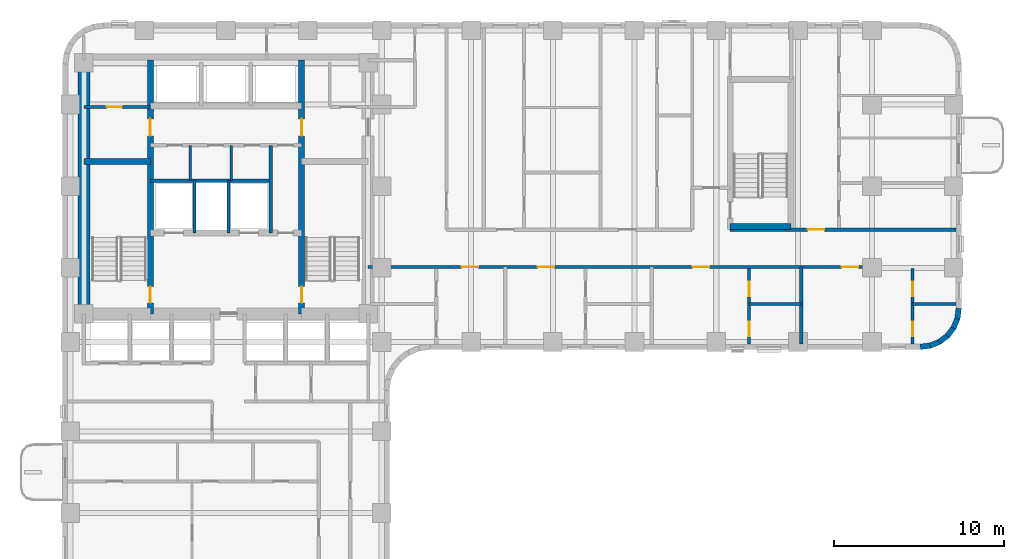
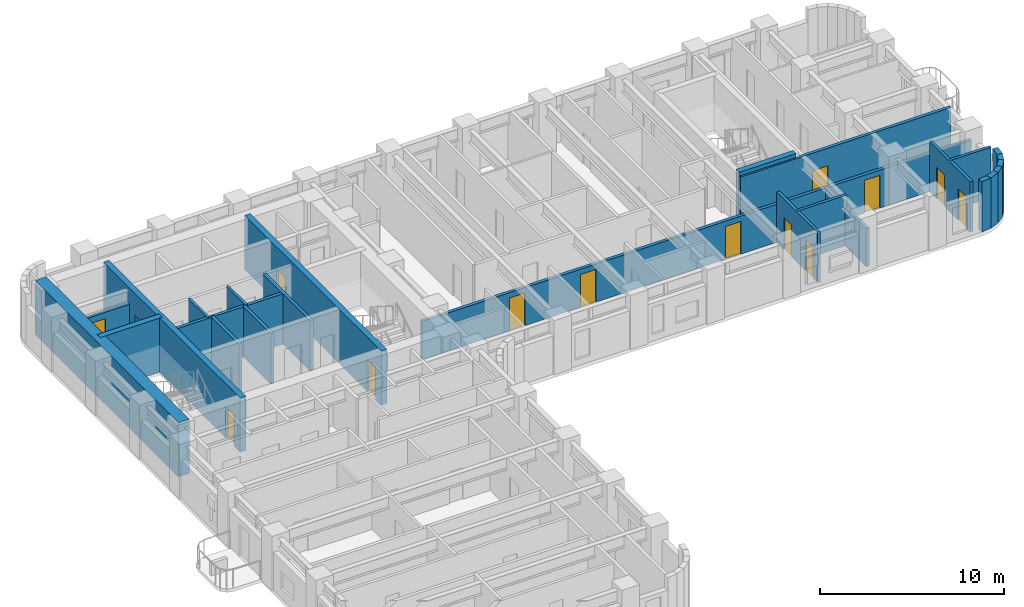
# One storey, part 5 of 11: 25 walls, 14 doors, 14 openings.
"""IFC4 building model written with IfcOpenShell, lengths in metres."""

from ifc_helpers import new_model, si_unit, direction, frame, frame_2d, origin, place, context, subcontext, project, spatial, rectangle, extrude, material, layer, layer_set, type_object, element, fill, save


model = new_model("IFC4")

# Units and contexts
model_context = context("Model", 3, precision=1e-05, world=origin(), true_north=direction((0.0, 1.0)))
body_context = subcontext(model_context, "Body", "Model", "MODEL_VIEW")
ifc_project = project(units=[si_unit("LENGTHUNIT", "METRE"), si_unit("AREAUNIT", "SQUARE_METRE"), si_unit("VOLUMEUNIT", "CUBIC_METRE"), si_unit("PLANEANGLEUNIT", "RADIAN"), si_unit("MASSUNIT", "GRAM", prefix="KILO")], contexts=[model_context])

# Site, building, storey
site_placement = place(None, origin())
site = spatial("IfcSite", under=ifc_project, at=site_placement, CompositionType="ELEMENT")
building_placement = place(site_placement, origin())
building = spatial("IfcBuilding", under=site, at=building_placement, Name="Orvandelia Arch Residences", CompositionType="ELEMENT")
storey_placement = place(building_placement, frame((0.0, 0.0, 82.60009765625)))
storey = spatial("IfcBuildingStorey", under=building, at=storey_placement, Name="L21", CompositionType="ELEMENT", Elevation=82.60009765625)

# Wall, openings, doors
ifc_material_1 = material(Name="Concrete C50/60", Category="concrete")
ifc_layer_1 = layer(ifc_material_1, 0.35009765625, Name="Concrete C50/60", Category="concrete")
ifc_layer_set_1 = layer_set([ifc_layer_1], Name="Concrete C50/60")
wall_type_1 = type_object("IfcWallType", Name="WL-CORE-350", PredefinedType="SHEAR", material=ifc_layer_set_1)
wall_1_placement = place(storey_placement, frame((9.9599609375, 30.89990234375, 0.0), z_axis=(0.0, 0.0, 1.0), x_axis=(0.0, 1.0, 0.0)))
wall_1 = element("IfcWall", 1, at=wall_1_placement, inside=storey, type_object=wall_type_1, Name="Core Shear Wall L21-WEB1", PredefinedType="SHEAR", context=body_context, shape_type="SweptSolid", body=[
    extrude(rectangle(XDim=14.900146484375, YDim=0.35009765625, at=frame_2d((7.4501953125, 0.0))), origin(), (0.0, 0.0, 1.0), 3.599853515625),
])
opening_1_placement = place(wall_1_placement, frame((0.64990234375, 0.0, 0.0)))
opening_1 = element("IfcOpeningElement", 2, at=opening_1_placement, cuts=wall_1, Name="Opening D7", PredefinedType="OPENING", context=body_context, shape_type="SweptSolid", body=[
    extrude(rectangle(XDim=0.949951171875, YDim=2.10009765625, at=frame_2d((0.47509765625, 1.050048828125))), frame((0.0, 0.18505859375, 0.0), z_axis=(0.0, -1.0, 0.0), x_axis=(1.0, 0.0, 0.0)), (0.0, 0.0, 1.0), 0.3701171875),
])
opening_2_placement = place(wall_1_placement, frame((10.449951171875, 0.0, 0.0)))
opening_2 = element("IfcOpeningElement", 3, at=opening_2_placement, cuts=wall_1, Name="Opening D6", PredefinedType="OPENING", context=body_context, shape_type="SweptSolid", body=[
    extrude(rectangle(XDim=1.0, YDim=2.14990234375, at=frame_2d((0.5, 1.074951171875))), frame((0.0, 0.18505859375, 0.0), z_axis=(0.0, -1.0, 0.0), x_axis=(1.0, 0.0, 0.0)), (0.0, 0.0, 1.0), 0.3701171875),
])
ifc_material_2 = material(Name="Smokeproof Painted Steel Fire Door", Category="steel")
door_type_1 = type_object("IfcDoorType", Name="DR-FD60-1000", OperationType="NOTDEFINED", PredefinedType="DOOR", material=ifc_material_2)
door_1_placement = place(opening_2_placement, origin())
door_1 = element("IfcDoor", 4, at=door_1_placement, inside=storey, type_object=door_type_1, Name="High-Rise Lift Hall West Vestibule Door L21", OperationType="SINGLE_SWING_LEFT", OverallHeight=2.14990234375, OverallWidth=1.0, PredefinedType="DOOR", context=body_context, shape_type="SweptSolid", body=[
    extrude(rectangle(XDim=1.0, YDim=2.14990234375, at=frame_2d((0.5, 1.074951171875))), frame((0.0, 0.02490234375, 0.0), z_axis=(0.0, -1.0, 0.0), x_axis=(1.0, 0.0, 0.0)), (0.0, 0.0, 1.0), 0.050048828125),
])
fill(opening_2, door_1)
ifc_material_3 = material(Name="Pressurised Stairwell Fire Door")
door_type_2 = type_object("IfcDoorType", Name="DR-STAIR-950", OperationType="NOTDEFINED", PredefinedType="DOOR", material=ifc_material_3)
door_2_placement = place(opening_1_placement, origin())
door_2 = element("IfcDoor", 5, at=door_2_placement, inside=storey, type_object=door_type_2, Name="Stairwell ST-1 Fire Door L21", OperationType="SINGLE_SWING_LEFT", OverallHeight=2.10009765625, OverallWidth=0.949951171875, PredefinedType="DOOR", context=body_context, shape_type="SweptSolid", body=[
    extrude(rectangle(XDim=0.949951171875, YDim=2.10009765625, at=frame_2d((0.47509765625, 1.050048828125))), frame((0.0, 0.02490234375, 0.0), z_axis=(0.0, -1.0, 0.0), x_axis=(1.0, 0.0, 0.0)), (0.0, 0.0, 1.0), 0.050048828125),
])
fill(opening_1, door_2)

wall_2_placement = place(storey_placement, frame((18.840087890625, 30.89990234375, 0.0), z_axis=(0.0, 0.0, 1.0), x_axis=(0.0, 1.0, 0.0)))
wall_2 = element("IfcWall", 6, at=wall_2_placement, inside=storey, type_object=wall_type_1, Name="Core Shear Wall L21-WEB2", PredefinedType="SHEAR", context=body_context, shape_type="SweptSolid", body=[
    extrude(rectangle(XDim=14.900146484375, YDim=0.35009765625, at=frame_2d((7.4501953125, 0.0))), origin(), (0.0, 0.0, 1.0), 3.599853515625),
])
opening_3_placement = place(wall_2_placement, frame((0.64990234375, 0.0, 0.0)))
opening_3 = element("IfcOpeningElement", 7, at=opening_3_placement, cuts=wall_2, Name="Opening D7", PredefinedType="OPENING", context=body_context, shape_type="SweptSolid", body=[
    extrude(rectangle(XDim=0.949951171875, YDim=2.10009765625, at=frame_2d((0.47509765625, 1.050048828125))), frame((0.0, 0.18505859375, 0.0), z_axis=(0.0, -1.0, 0.0), x_axis=(1.0, 0.0, 0.0)), (0.0, 0.0, 1.0), 0.3701171875),
])
opening_4_placement = place(wall_2_placement, frame((10.449951171875, 0.0, 0.0)))
opening_4 = element("IfcOpeningElement", 8, at=opening_4_placement, cuts=wall_2, Name="Opening D6", PredefinedType="OPENING", context=body_context, shape_type="SweptSolid", body=[
    extrude(rectangle(XDim=1.0, YDim=2.14990234375, at=frame_2d((0.5, 1.074951171875))), frame((0.0, 0.18505859375, 0.0), z_axis=(0.0, -1.0, 0.0), x_axis=(1.0, 0.0, 0.0)), (0.0, 0.0, 1.0), 0.3701171875),
])
door_3_placement = place(opening_4_placement, origin())
door_3 = element("IfcDoor", 9, at=door_3_placement, inside=storey, type_object=door_type_1, Name="High-Rise Lift Hall East Vestibule Door L21", OperationType="SINGLE_SWING_RIGHT", OverallHeight=2.14990234375, OverallWidth=1.0, PredefinedType="DOOR", context=body_context, shape_type="SweptSolid", body=[
    extrude(rectangle(XDim=1.0, YDim=2.14990234375, at=frame_2d((0.5, 1.074951171875))), frame((0.0, 0.02490234375, 0.0), z_axis=(0.0, -1.0, 0.0), x_axis=(1.0, 0.0, 0.0)), (0.0, 0.0, 1.0), 0.050048828125),
])
fill(opening_4, door_3)
door_4_placement = place(opening_3_placement, origin())
door_4 = element("IfcDoor", 10, at=door_4_placement, inside=storey, type_object=door_type_2, Name="Stairwell ST-2 Fire Door L21", OperationType="SINGLE_SWING_RIGHT", OverallHeight=2.10009765625, OverallWidth=0.949951171875, PredefinedType="DOOR", context=body_context, shape_type="SweptSolid", body=[
    extrude(rectangle(XDim=0.949951171875, YDim=2.10009765625, at=frame_2d((0.47509765625, 1.050048828125))), frame((0.0, 0.02490234375, 0.0), z_axis=(0.0, -1.0, 0.0), x_axis=(1.0, 0.0, 0.0)), (0.0, 0.0, 1.0), 0.050048828125),
])
fill(opening_3, door_4)

# Walls
wall_3_placement = place(storey_placement, frame((6.050048828125, 39.85009765625, 0.0), z_axis=(0.0, 0.0, 1.0), x_axis=(1.0, 0.0, 0.0)))
element("IfcWall", 11, at=wall_3_placement, inside=storey, type_object=wall_type_1, Name="Core Shear Wall L21-HZ1", PredefinedType="SHEAR", context=body_context, shape_type="SweptSolid", body=[
    extrude(rectangle(XDim=3.909912109375, YDim=0.35009765625, at=frame_2d((1.955078125, 0.0))), origin(), (0.0, 0.0, 1.0), 3.599853515625),
])
wall_4_placement = place(storey_placement, frame((44.02001953125, 36.0400390625, 0.0), z_axis=(0.0, 0.0, 1.0), x_axis=(1.0, 0.0, 0.0)))
element("IfcWall", 12, at=wall_4_placement, inside=storey, type_object=wall_type_1, Name="East Stair Core Shear Wall L21-S", PredefinedType="SHEAR", context=body_context, shape_type="SweptSolid", body=[
    extrude(rectangle(XDim=3.580078125, YDim=0.35009765625, at=frame_2d((1.7900390625, 0.0))), origin(), (0.0, 0.0, 1.0), 3.599853515625),
])
ifc_material_4 = material(Name="Concrete C80/95", Category="concrete")
ifc_layer_2 = layer(ifc_material_4, 0.699951171875, Name="Concrete C80/95", Category="concrete")
ifc_layer_set_2 = layer_set([ifc_layer_2], Name="Concrete C80/95")
wall_type_2 = type_object("IfcWallType", Name="WL-CORE-700", PredefinedType="SHEAR", material=ifc_layer_set_2)
wall_5_placement = place(storey_placement, frame((6.050048828125, 30.550048828125, 0.0), z_axis=(0.0, 0.0, 1.0), x_axis=(0.0, 1.0, 0.0)))
element("IfcWall", 13, at=wall_5_placement, inside=storey, type_object=wall_type_2, Name="Core Shear Wall L21-W", PredefinedType="SHEAR", context=body_context, shape_type="SweptSolid", body=[
    extrude(rectangle(XDim=15.599853515625, YDim=0.699951171875, at=frame_2d((7.7998046875, 0.0))), origin(), (0.0, 0.0, 1.0), 3.599853515625),
])

# Wall, openings, doors
ifc_material_5 = material(Name="Fire-Rated Corridor Partition")
ifc_layer_3 = layer(ifc_material_5, 0.199951171875, Name="Fire-Rated Corridor Partition")
ifc_layer_set_3 = layer_set([ifc_layer_3], Name="Fire-Rated Corridor Partition")
wall_type_3 = type_object("IfcWallType", Name="WL-CORR-200", PredefinedType="PARTITIONING", material=ifc_layer_set_3)
wall_6_placement = place(storey_placement, frame((22.75, 33.64990234375, 0.0), z_axis=(0.0, 0.0, 1.0), x_axis=(1.0, 0.0, 0.0)))
wall_6 = element("IfcWall", 14, at=wall_6_placement, inside=storey, type_object=wall_type_3, Name="Interior Partition Wall WL-L21-ES-S", PredefinedType="PARTITIONING", context=body_context, shape_type="SweptSolid", body=[
    extrude(rectangle(XDim=34.530029296875, YDim=0.199951171875, at=frame_2d((17.26513671875, 0.0))), origin(), (0.0, 0.0, 1.0), 2.52978515625),
])
opening_5_placement = place(wall_6_placement, frame((5.4951171875, 0.0, 0.0)))
opening_5 = element("IfcOpeningElement", 15, at=opening_5_placement, cuts=wall_6, Name="Opening D1", PredefinedType="OPENING", context=body_context, shape_type="SweptSolid", body=[
    extrude(rectangle(XDim=0.97998046875, YDim=2.179931640625, at=frame_2d((0.489990234375, 1.08984375))), frame((0.0, 0.10986328125, 0.0), z_axis=(0.0, -1.0, 0.0), x_axis=(1.0, 0.0, 0.0)), (0.0, 0.0, 1.0), 0.219970703125),
])
opening_6_placement = place(wall_6_placement, frame((9.9609375, 0.0, 0.0)))
opening_6 = element("IfcOpeningElement", 16, at=opening_6_placement, cuts=wall_6, Name="Opening D1", PredefinedType="OPENING", context=body_context, shape_type="SweptSolid", body=[
    extrude(rectangle(XDim=0.97998046875, YDim=2.179931640625, at=frame_2d((0.489990234375, 1.08984375))), frame((0.0, 0.10986328125, 0.0), z_axis=(0.0, -1.0, 0.0), x_axis=(1.0, 0.0, 0.0)), (0.0, 0.0, 1.0), 0.219970703125),
])
opening_7_placement = place(wall_6_placement, frame((19.06591796875, 0.0, 0.0)))
opening_7 = element("IfcOpeningElement", 17, at=opening_7_placement, cuts=wall_6, Name="Opening D1", PredefinedType="OPENING", context=body_context, shape_type="SweptSolid", body=[
    extrude(rectangle(XDim=0.97998046875, YDim=2.179931640625, at=frame_2d((0.489990234375, 1.08984375))), frame((0.0, 0.10986328125, 0.0), z_axis=(0.0, -1.0, 0.0), x_axis=(1.0, 0.0, 0.0)), (0.0, 0.0, 1.0), 0.219970703125),
])
opening_8_placement = place(wall_6_placement, frame((27.81494140625, 0.0, 0.0)))
opening_8 = element("IfcOpeningElement", 18, at=opening_8_placement, cuts=wall_6, Name="Opening D1", PredefinedType="OPENING", context=body_context, shape_type="SweptSolid", body=[
    extrude(rectangle(XDim=0.97998046875, YDim=2.179931640625, at=frame_2d((0.489990234375, 1.08984375))), frame((0.0, 0.10986328125, 0.0), z_axis=(0.0, -1.0, 0.0), x_axis=(1.0, 0.0, 0.0)), (0.0, 0.0, 1.0), 0.219970703125),
])
ifc_material_6 = material(Name="Solid-Core Timber Acoustic Fire Door", Category="wood")
door_type_3 = type_object("IfcDoorType", Name="DR-ENT-980", OperationType="NOTDEFINED", PredefinedType="DOOR", material=ifc_material_6)
door_5_placement = place(opening_5_placement, origin())
door_5 = element("IfcDoor", 19, at=door_5_placement, inside=storey, type_object=door_type_3, Name="Unit L21-04 Entrance Door", OperationType="SINGLE_SWING_RIGHT", OverallHeight=2.179931640625, OverallWidth=0.97998046875, PredefinedType="DOOR", context=body_context, shape_type="SweptSolid", body=[
    extrude(rectangle(XDim=0.97998046875, YDim=2.179931640625, at=frame_2d((0.489990234375, 1.08984375))), frame((0.0, 0.02490234375, 0.0), z_axis=(0.0, -1.0, 0.0), x_axis=(1.0, 0.0, 0.0)), (0.0, 0.0, 1.0), 0.050048828125),
])
fill(opening_5, door_5)
door_6_placement = place(opening_6_placement, origin())
door_6 = element("IfcDoor", 20, at=door_6_placement, inside=storey, type_object=door_type_3, Name="Unit L21-05 Entrance Door", OperationType="SINGLE_SWING_LEFT", OverallHeight=2.179931640625, OverallWidth=0.97998046875, PredefinedType="DOOR", context=body_context, shape_type="SweptSolid", body=[
    extrude(rectangle(XDim=0.97998046875, YDim=2.179931640625, at=frame_2d((0.489990234375, 1.08984375))), frame((0.0, 0.02490234375, 0.0), z_axis=(0.0, -1.0, 0.0), x_axis=(1.0, 0.0, 0.0)), (0.0, 0.0, 1.0), 0.050048828125),
])
fill(opening_6, door_6)
door_7_placement = place(opening_7_placement, origin())
door_7 = element("IfcDoor", 21, at=door_7_placement, inside=storey, type_object=door_type_3, Name="Unit L21-06 Entrance Door", OperationType="SINGLE_SWING_RIGHT", OverallHeight=2.179931640625, OverallWidth=0.97998046875, PredefinedType="DOOR", context=body_context, shape_type="SweptSolid", body=[
    extrude(rectangle(XDim=0.97998046875, YDim=2.179931640625, at=frame_2d((0.489990234375, 1.08984375))), frame((0.0, 0.02490234375, 0.0), z_axis=(0.0, -1.0, 0.0), x_axis=(1.0, 0.0, 0.0)), (0.0, 0.0, 1.0), 0.050048828125),
])
fill(opening_7, door_7)
door_8_placement = place(opening_8_placement, origin())
door_8 = element("IfcDoor", 22, at=door_8_placement, inside=storey, type_object=door_type_3, Name="Unit L21-07 Entrance Door", OperationType="SINGLE_SWING_LEFT", OverallHeight=2.179931640625, OverallWidth=0.97998046875, PredefinedType="DOOR", context=body_context, shape_type="SweptSolid", body=[
    extrude(rectangle(XDim=0.97998046875, YDim=2.179931640625, at=frame_2d((0.489990234375, 1.08984375))), frame((0.0, 0.02490234375, 0.0), z_axis=(0.0, -1.0, 0.0), x_axis=(1.0, 0.0, 0.0)), (0.0, 0.0, 1.0), 0.050048828125),
])
fill(opening_8, door_8)

# Wall, opening, door
wall_7_placement = place(storey_placement, frame((44.02001953125, 35.85009765625, 0.0), z_axis=(0.0, 0.0, 1.0), x_axis=(1.0, 0.0, 0.0)))
wall_7 = element("IfcWall", 23, at=wall_7_placement, inside=storey, type_object=wall_type_3, Name="Interior Partition Wall WL-L21-ES-N2", PredefinedType="PARTITIONING", context=body_context, shape_type="SweptSolid", body=[
    extrude(rectangle(XDim=13.260009765625, YDim=0.199951171875, at=frame_2d((6.6298828125, 0.0))), origin(), (0.0, 0.0, 1.0), 3.349853515625),
])
opening_9_placement = place(wall_7_placement, frame((4.548583984375, 0.0, 0.0)))
opening_9 = element("IfcOpeningElement", 24, at=opening_9_placement, cuts=wall_7, Name="Opening D1", PredefinedType="OPENING", context=body_context, shape_type="SweptSolid", body=[
    extrude(rectangle(XDim=0.97998046875, YDim=2.179931640625, at=frame_2d((0.489990234375, 1.08984375))), frame((0.0, 0.10986328125, 0.0), z_axis=(0.0, -1.0, 0.0), x_axis=(1.0, 0.0, 0.0)), (0.0, 0.0, 1.0), 0.219970703125),
])
door_9_placement = place(opening_9_placement, origin())
door_9 = element("IfcDoor", 25, at=door_9_placement, inside=storey, type_object=door_type_3, Name="Unit L21-10 Entrance Door", OperationType="SINGLE_SWING_RIGHT", OverallHeight=2.179931640625, OverallWidth=0.97998046875, PredefinedType="DOOR", context=body_context, shape_type="SweptSolid", body=[
    extrude(rectangle(XDim=0.97998046875, YDim=2.179931640625, at=frame_2d((0.489990234375, 1.08984375))), frame((0.0, 0.02490234375, 0.0), z_axis=(0.0, -1.0, 0.0), x_axis=(1.0, 0.0, 0.0)), (0.0, 0.0, 1.0), 0.050048828125),
])
fill(opening_9, door_9)

# Walls
ifc_material_7 = material(Name="Concrete C40/50", Category="concrete")
ifc_layer_4 = layer(ifc_material_7, 0.199951171875, Name="Concrete C40/50", Category="concrete")
ifc_layer_set_4 = layer_set([ifc_layer_4], Name="Concrete C40/50")
wall_type_4 = type_object("IfcWallType", Name="WL-DEM-200", PredefinedType="SOLIDWALL", material=ifc_layer_set_4)
wall_8_placement = place(storey_placement, frame((48.199951171875, 29.1201171875, 0.0), z_axis=(0.0, 0.0, 1.0), x_axis=(0.0, 1.0, 0.0)))
element("IfcWall", 26, at=wall_8_placement, inside=storey, type_object=wall_type_4, Name="Interior Partition Wall WL-L21-DEM-ESS-482", PredefinedType="SOLIDWALL", context=body_context, shape_type="SweptSolid", body=[
    extrude(rectangle(XDim=4.52978515625, YDim=0.199951171875, at=frame_2d((2.264892578125, 0.0))), origin(), (0.0, 0.0, 1.0), 2.52978515625),
])
ifc_material_8 = material(Name="Precast concrete C40/50", Category="concrete")
ifc_layer_5 = layer(ifc_material_8, 0.320068359375, Name="Precast concrete C40/50", Category="concrete")
ifc_layer_set_5 = layer_set([ifc_layer_5], Name="Precast concrete C40/50")
wall_type_5 = type_object("IfcWallType", Name="WL-EXT-STONE-320", PredefinedType="STANDARD", material=ifc_layer_set_5)
wall_9_placement = place(storey_placement, frame((57.44140625, 31.220947265625, 0.0), z_axis=(0.0, 0.0, 1.0), x_axis=(-0.130504898859, -0.991447664465, 0.0)))
element("IfcWall", 27, at=wall_9_placement, inside=storey, type_object=wall_type_5, Name="Coral-Limestone Precast Facade Wall L21-015", PredefinedType="STANDARD", context=body_context, shape_type="SweptSolid", body=[
    extrude(rectangle(XDim=0.626708984375, YDim=0.320068359375, at=frame_2d((0.3134765625, 0.0))), origin(), (0.0, 0.0, 1.0), 3.349853515625),
])
wall_10_placement = place(storey_placement, frame((57.370361328125, 30.639892578125, 0.0), z_axis=(0.0, 0.0, 1.0), x_axis=(-0.382787856107, -0.923836271867, 0.0)))
element("IfcWall", 28, at=wall_10_placement, inside=storey, type_object=wall_type_5, Name="Coral-Limestone Precast Facade Wall L21-016", PredefinedType="STANDARD", context=body_context, shape_type="SweptSolid", body=[
    extrude(rectangle(XDim=0.626220703125, YDim=0.320068359375, at=frame_2d((0.31298828125, 0.0))), origin(), (0.0, 0.0, 1.0), 3.349853515625),
])
wall_11_placement = place(storey_placement, frame((57.151611328125, 30.097412109375, 0.0), z_axis=(0.0, 0.0, 1.0), x_axis=(-0.608693302629, -0.793405610854, 0.0)))
element("IfcWall", 29, at=wall_11_placement, inside=storey, type_object=wall_type_5, Name="Coral-Limestone Precast Facade Wall L21-017", PredefinedType="STANDARD", context=body_context, shape_type="SweptSolid", body=[
    extrude(rectangle(XDim=0.62646484375, YDim=0.320068359375, at=frame_2d((0.313232421875, 0.0))), origin(), (0.0, 0.0, 1.0), 3.349853515625),
])
wall_12_placement = place(storey_placement, frame((56.7998046875, 29.6298828125, 0.0), z_axis=(0.0, 0.0, 1.0), x_axis=(-0.793361818833, -0.608750379399, 0.0)))
element("IfcWall", 30, at=wall_12_placement, inside=storey, type_object=wall_type_5, Name="Coral-Limestone Precast Facade Wall L21-018", PredefinedType="STANDARD", context=body_context, shape_type="SweptSolid", body=[
    extrude(rectangle(XDim=0.626953125, YDim=0.320068359375, at=frame_2d((0.3134765625, 0.0))), origin(), (0.0, 0.0, 1.0), 3.349853515625),
])
for number, where, z_axis, x_axis, name in (
    (31, (56.3388671875, 29.269287109375, 0.0), (0.0, 0.0, 1.0), (-0.92389335771, -0.382650053678, 0.0), "Coral-Limestone Precast Facade Wall L21-019"),
    (32, (55.80029296875, 29.040283203125, 0.0), (0.0, 0.0, 1.0), (-0.9914410257, -0.130555323746, 0.0), "Coral-Limestone Precast Facade Wall L21-020"),
):
    element("IfcWall", number, at=place(storey_placement, frame(where, z_axis=z_axis, x_axis=x_axis)), inside=storey, type_object=wall_type_5, Name=name, PredefinedType="STANDARD", context=body_context, shape_type="SweptSolid", body=[
        extrude(rectangle(XDim=0.62646484375, YDim=0.320068359375, at=frame_2d((0.313232421875, 0.0))), origin(), (0.0, 0.0, 1.0), 3.349853515625),
    ])
ifc_material_9 = material(Name="Acoustic Gypsum Stud Partition")
ifc_layer_6 = layer(ifc_material_9, 0.14990234375, Name="Acoustic Gypsum Stud Partition")
ifc_layer_set_6 = layer_set([ifc_layer_6], Name="Acoustic Gypsum Stud Partition")
wall_type_6 = type_object("IfcWallType", Name="WL-PART-150", PredefinedType="PARTITIONING", material=ifc_layer_set_6)
for number, where, z_axis, x_axis, name in (
    (33, (12.300048828125, 38.719970703125, 0.0), (0.0, 0.0, 1.0), (0.0, 1.0, 0.0), "Interior Partition Wall WL-L21-CSA-1"),
    (34, (14.699951171875, 38.719970703125, 0.0), (0.0, 0.0, 1.0), (0.0, 1.0, 0.0), "Interior Partition Wall WL-L21-CSA-2"),
):
    element("IfcWall", number, at=place(storey_placement, frame(where, z_axis=z_axis, x_axis=x_axis)), inside=storey, type_object=wall_type_6, Name=name, PredefinedType="PARTITIONING", context=body_context, shape_type="SweptSolid", body=[
        extrude(rectangle(XDim=2.080078125, YDim=0.14990234375, at=frame_2d((1.0400390625, 0.0))), origin(), (0.0, 0.0, 1.0), 3.349853515625),
    ])
ifc_material_10 = material(Name="Fire-Rated Shaft Enclosure Wall")
ifc_layer_7 = layer(ifc_material_10, 0.199951171875, Name="Fire-Rated Shaft Enclosure Wall")
ifc_layer_set_7 = layer_set([ifc_layer_7], Name="Fire-Rated Shaft Enclosure Wall")
wall_type_7 = type_object("IfcWallType", Name="WL-SHAFT-200", PredefinedType="POLYGONAL", material=ifc_layer_set_7)
wall_13_placement = place(storey_placement, frame((9.9599609375, 38.719970703125, 0.0), z_axis=(0.0, 0.0, 1.0), x_axis=(1.0, 0.0, 0.0)))
element("IfcWall", 35, at=wall_13_placement, inside=storey, type_object=wall_type_7, Name="Interior Partition Wall WL-L21-FLN", PredefinedType="POLYGONAL", context=body_context, shape_type="SweptSolid", body=[
    extrude(rectangle(XDim=7.06005859375, YDim=0.199951171875, at=frame_2d((3.530029296875, 0.0))), origin(), (0.0, 0.0, 1.0), 3.349853515625),
])
for number, where, z_axis, x_axis, name in (
    (36, (12.550048828125, 35.64990234375, 0.0), (0.0, 0.0, 1.0), (0.0, 1.0, 0.0), "Interior Partition Wall WL-L21-FLM1"),
    (37, (14.550048828125, 35.64990234375, 0.0), (0.0, 0.0, 1.0), (0.0, 1.0, 0.0), "Interior Partition Wall WL-L21-FLM2"),
):
    element("IfcWall", number, at=place(storey_placement, frame(where, z_axis=z_axis, x_axis=x_axis)), inside=storey, type_object=wall_type_7, Name=name, PredefinedType="POLYGONAL", context=body_context, shape_type="SweptSolid", body=[
        extrude(rectangle(XDim=3.070068359375, YDim=0.199951171875, at=frame_2d((1.53515625, 0.0))), origin(), (0.0, 0.0, 1.0), 3.349853515625),
    ])
wall_14_placement = place(storey_placement, frame((17.02001953125, 35.64990234375, 0.0), z_axis=(0.0, 0.0, 1.0), x_axis=(0.0, 1.0, 0.0)))
element("IfcWall", 38, at=wall_14_placement, inside=storey, type_object=wall_type_7, Name="Interior Partition Wall WL-L21-FLM3", PredefinedType="POLYGONAL", context=body_context, shape_type="SweptSolid", body=[
    extrude(rectangle(XDim=5.150146484375, YDim=0.199951171875, at=frame_2d((2.5751953125, 0.0))), origin(), (0.0, 0.0, 1.0), 3.349853515625),
])

# Wall, opening, door
wall_15_placement = place(storey_placement, frame((6.050048828125, 43.050048828125, 0.0), z_axis=(0.0, 0.0, 1.0), x_axis=(1.0, 0.0, 0.0)))
wall_15 = element("IfcWall", 39, at=wall_15_placement, inside=storey, type_object=wall_type_7, Name="Interior Partition Wall WL-L21-HLW-N", PredefinedType="POLYGONAL", context=body_context, shape_type="SweptSolid", body=[
    extrude(rectangle(XDim=3.909912109375, YDim=0.199951171875, at=frame_2d((1.955078125, 0.0))), origin(), (0.0, 0.0, 1.0), 2.52978515625),
])
opening_10_placement = place(wall_15_placement, frame((1.35009765625, 0.0, 0.0)))
opening_10 = element("IfcOpeningElement", 40, at=opening_10_placement, cuts=wall_15, Name="Opening D5", PredefinedType="OPENING", context=body_context, shape_type="SweptSolid", body=[
    extrude(rectangle(XDim=0.8798828125, YDim=2.10009765625, at=frame_2d((0.43994140625, 1.050048828125))), frame((0.0, 0.10986328125, 0.0), z_axis=(0.0, -1.0, 0.0), x_axis=(1.0, 0.0, 0.0)), (0.0, 0.0, 1.0), 0.219970703125),
])
ifc_material_11 = material(Name="Painted Galvanised Steel Service Door", Category="steel")
door_type_4 = type_object("IfcDoorType", Name="DR-SRV-880", OperationType="NOTDEFINED", PredefinedType="DOOR", material=ifc_material_11)
door_10_placement = place(opening_10_placement, origin())
door_10 = element("IfcDoor", 41, at=door_10_placement, inside=storey, type_object=door_type_4, Name="Riser Service Door L21", OperationType="SINGLE_SWING_RIGHT", OverallHeight=2.10009765625, OverallWidth=0.8798828125, PredefinedType="DOOR", context=body_context, shape_type="SweptSolid", body=[
    extrude(rectangle(XDim=0.8798828125, YDim=2.10009765625, at=frame_2d((0.43994140625, 1.050048828125))), frame((0.0, 0.02490234375, 0.0), z_axis=(0.0, -1.0, 0.0), x_axis=(1.0, 0.0, 0.0)), (0.0, 0.0, 1.0), 0.050048828125),
])
fill(opening_10, door_10)

# Wall, openings, doors
ifc_material_12 = material(Name="Moisture-Resistant Plumbing Wall")
ifc_layer_8 = layer(ifc_material_12, 0.179931640625, Name="Moisture-Resistant Plumbing Wall")
ifc_layer_set_8 = layer_set([ifc_layer_8], Name="Moisture-Resistant Plumbing Wall")
wall_type_8 = type_object("IfcWallType", Name="WL-WET-180", PredefinedType="PLUMBINGWALL", material=ifc_layer_set_8)
wall_16_placement = place(storey_placement, frame((45.132080078125, 29.1201171875, 0.0), z_axis=(0.0, 0.0, 1.0), x_axis=(0.0, 1.0, 0.0)))
wall_16 = element("IfcWall", 42, at=wall_16_placement, inside=storey, type_object=wall_type_8, Name="Interior Partition Wall WL-L21-U06-VT", PredefinedType="PLUMBINGWALL", context=body_context, shape_type="SweptSolid", body=[
    extrude(rectangle(XDim=4.429931640625, YDim=0.179931640625, at=frame_2d((2.21484375, 0.0))), origin(), (0.0, 0.0, 1.0), 3.349853515625),
])
opening_11_placement = place(wall_16_placement, frame((0.458740234375, 0.0, 0.0)))
opening_11 = element("IfcOpeningElement", 43, at=opening_11_placement, cuts=wall_16, Name="Opening D4", PredefinedType="OPENING", context=body_context, shape_type="SweptSolid", body=[
    extrude(rectangle(XDim=0.860107421875, YDim=2.10009765625, at=frame_2d((0.43017578125, 1.050048828125))), frame((0.0, 0.10009765625, 0.0), z_axis=(0.0, -1.0, 0.0), x_axis=(1.0, 0.0, 0.0)), (0.0, 0.0, 1.0), 0.199951171875),
])
opening_12_placement = place(wall_16_placement, frame((2.79931640625, 0.0, 0.0)))
opening_12 = element("IfcOpeningElement", 44, at=opening_12_placement, cuts=wall_16, Name="Opening D4", PredefinedType="OPENING", context=body_context, shape_type="SweptSolid", body=[
    extrude(rectangle(XDim=0.860107421875, YDim=2.10009765625, at=frame_2d((0.43017578125, 1.050048828125))), frame((0.0, 0.10009765625, 0.0), z_axis=(0.0, -1.0, 0.0), x_axis=(1.0, 0.0, 0.0)), (0.0, 0.0, 1.0), 0.199951171875),
])
ifc_material_13 = material(Name="Moisture-Sealed Timber Bathroom Door", Category="wood")
door_type_5 = type_object("IfcDoorType", Name="DR-WET-900", OperationType="NOTDEFINED", PredefinedType="DOOR", material=ifc_material_13)
door_11_placement = place(opening_11_placement, origin())
door_11 = element("IfcDoor", 45, at=door_11_placement, inside=storey, type_object=door_type_5, Name="DR-L21-U06-KIT", OperationType="SINGLE_SWING_RIGHT", OverallHeight=2.10009765625, OverallWidth=0.860107421875, PredefinedType="DOOR", context=body_context, shape_type="SweptSolid", body=[
    extrude(rectangle(XDim=0.860107421875, YDim=2.10009765625, at=frame_2d((0.43017578125, 1.050048828125))), frame((0.0, 0.02490234375, 0.0), z_axis=(0.0, -1.0, 0.0), x_axis=(1.0, 0.0, 0.0)), (0.0, 0.0, 1.0), 0.050048828125),
])
fill(opening_11, door_11)
door_12_placement = place(opening_12_placement, origin())
door_12 = element("IfcDoor", 46, at=door_12_placement, inside=storey, type_object=door_type_5, Name="DR-L21-U06-BTH", OperationType="SINGLE_SWING_LEFT", OverallHeight=2.10009765625, OverallWidth=0.860107421875, PredefinedType="DOOR", context=body_context, shape_type="SweptSolid", body=[
    extrude(rectangle(XDim=0.860107421875, YDim=2.10009765625, at=frame_2d((0.43017578125, 1.050048828125))), frame((0.0, 0.02490234375, 0.0), z_axis=(0.0, -1.0, 0.0), x_axis=(1.0, 0.0, 0.0)), (0.0, 0.0, 1.0), 0.050048828125),
])
fill(opening_12, door_12)

# Wall
wall_17_placement = place(storey_placement, frame((45.132080078125, 31.485107421875, 0.0), z_axis=(0.0, 0.0, 1.0), x_axis=(1.0, 0.0, 0.0)))
element("IfcWall", 47, at=wall_17_placement, inside=storey, type_object=wall_type_8, Name="Interior Partition Wall WL-L21-U06-H1", PredefinedType="PLUMBINGWALL", context=body_context, shape_type="SweptSolid", body=[
    extrude(rectangle(XDim=3.06787109375, YDim=0.179931640625, at=frame_2d((1.533935546875, 0.0))), origin(), (0.0, 0.0, 1.0), 3.349853515625),
])

# Wall, openings, doors
wall_18_placement = place(storey_placement, frame((54.72998046875, 29.1201171875, 0.0), z_axis=(0.0, 0.0, 1.0), x_axis=(0.0, 1.0, 0.0)))
wall_18 = element("IfcWall", 48, at=wall_18_placement, inside=storey, type_object=wall_type_8, Name="Interior Partition Wall WL-L21-U07-VT", PredefinedType="PLUMBINGWALL", context=body_context, shape_type="SweptSolid", body=[
    extrude(rectangle(XDim=4.429931640625, YDim=0.179931640625, at=frame_2d((2.21484375, 0.0))), origin(), (0.0, 0.0, 1.0), 3.349853515625),
])
opening_13_placement = place(wall_18_placement, frame((0.458740234375, 0.0, 0.0)))
opening_13 = element("IfcOpeningElement", 49, at=opening_13_placement, cuts=wall_18, Name="Opening D4", PredefinedType="OPENING", context=body_context, shape_type="SweptSolid", body=[
    extrude(rectangle(XDim=0.860107421875, YDim=2.10009765625, at=frame_2d((0.43017578125, 1.050048828125))), frame((0.0, 0.10009765625, 0.0), z_axis=(0.0, -1.0, 0.0), x_axis=(1.0, 0.0, 0.0)), (0.0, 0.0, 1.0), 0.199951171875),
])
opening_14_placement = place(wall_18_placement, frame((2.79931640625, 0.0, 0.0)))
opening_14 = element("IfcOpeningElement", 50, at=opening_14_placement, cuts=wall_18, Name="Opening D4", PredefinedType="OPENING", context=body_context, shape_type="SweptSolid", body=[
    extrude(rectangle(XDim=0.860107421875, YDim=2.10009765625, at=frame_2d((0.43017578125, 1.050048828125))), frame((0.0, 0.10009765625, 0.0), z_axis=(0.0, -1.0, 0.0), x_axis=(1.0, 0.0, 0.0)), (0.0, 0.0, 1.0), 0.199951171875),
])
door_13_placement = place(opening_13_placement, origin())
door_13 = element("IfcDoor", 51, at=door_13_placement, inside=storey, type_object=door_type_5, Name="DR-L21-U07-KIT", OperationType="SINGLE_SWING_LEFT", OverallHeight=2.10009765625, OverallWidth=0.860107421875, PredefinedType="DOOR", context=body_context, shape_type="SweptSolid", body=[
    extrude(rectangle(XDim=0.860107421875, YDim=2.10009765625, at=frame_2d((0.43017578125, 1.050048828125))), frame((0.0, 0.02490234375, 0.0), z_axis=(0.0, -1.0, 0.0), x_axis=(1.0, 0.0, 0.0)), (0.0, 0.0, 1.0), 0.050048828125),
])
fill(opening_13, door_13)
door_14_placement = place(opening_14_placement, origin())
door_14 = element("IfcDoor", 52, at=door_14_placement, inside=storey, type_object=door_type_5, Name="DR-L21-U07-BTH", OperationType="SINGLE_SWING_RIGHT", OverallHeight=2.10009765625, OverallWidth=0.860107421875, PredefinedType="DOOR", context=body_context, shape_type="SweptSolid", body=[
    extrude(rectangle(XDim=0.860107421875, YDim=2.10009765625, at=frame_2d((0.43017578125, 1.050048828125))), frame((0.0, 0.02490234375, 0.0), z_axis=(0.0, -1.0, 0.0), x_axis=(1.0, 0.0, 0.0)), (0.0, 0.0, 1.0), 0.050048828125),
])
fill(opening_14, door_14)

# Wall
wall_19_placement = place(storey_placement, frame((54.72998046875, 31.485107421875, 0.0), z_axis=(0.0, 0.0, 1.0), x_axis=(1.0, 0.0, 0.0)))
element("IfcWall", 53, at=wall_19_placement, inside=storey, type_object=wall_type_8, Name="Interior Partition Wall WL-L21-U07-H1", PredefinedType="PLUMBINGWALL", context=body_context, shape_type="SweptSolid", body=[
    extrude(rectangle(XDim=2.550048828125, YDim=0.179931640625, at=frame_2d((1.27490234375, 0.0))), origin(), (0.0, 0.0, 1.0), 3.349853515625),
])

save(model, "model.ifc")
